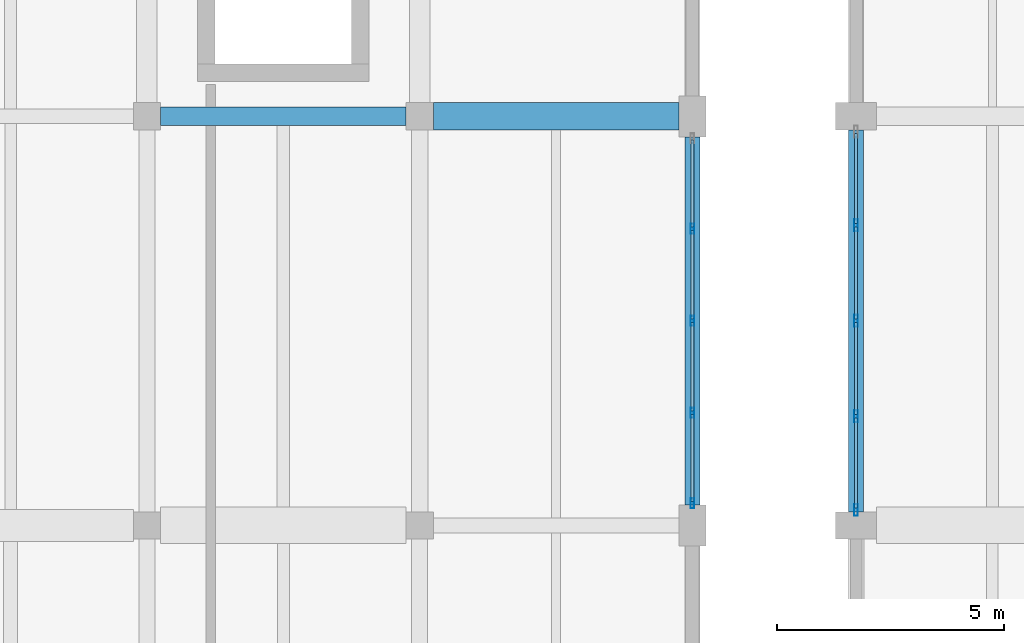
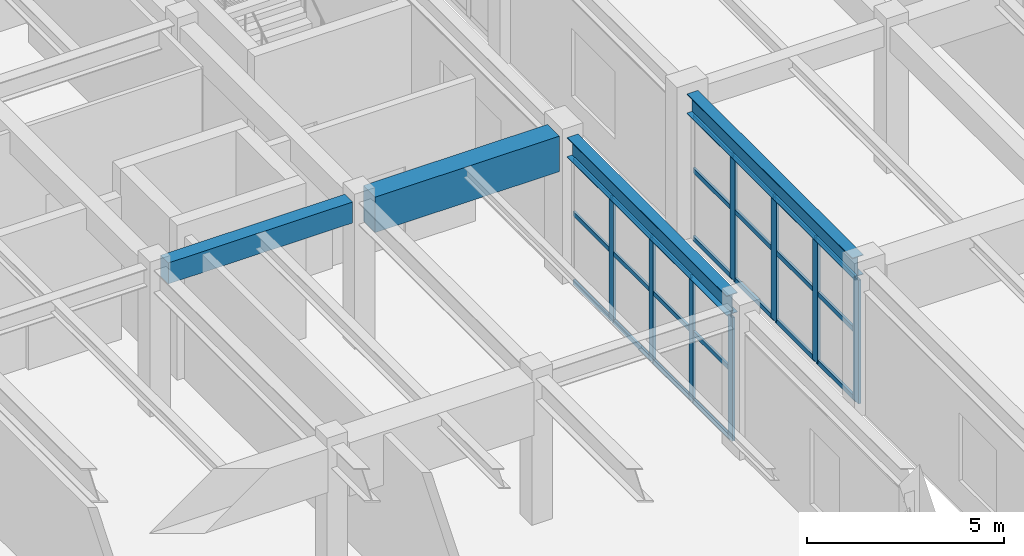
# One storey, part 17 of 80: 32 members, 4 beams, 2 elements without a shape of their own.
"""IFC4 building model written with IfcOpenShell, lengths in metres."""

from ifc_helpers import new_model, si_unit, direction, frame, origin, origin_2d, place, context, subcontext, project, spatial, rectangle, hollow_rectangle, i_section, extrude, material, layer, layer_set, material_profile, profile_set, type_object, element, aggregate, save


model = new_model("IFC4")

# Units and contexts
model_context = context("Model", 3, precision=1e-05, world=origin(), true_north=direction((0.0, 1.0)))
body_context = subcontext(model_context, "Body", "Model", "MODEL_VIEW")
ifc_project = project(units=[si_unit("LENGTHUNIT", "METRE"), si_unit("AREAUNIT", "SQUARE_METRE"), si_unit("VOLUMEUNIT", "CUBIC_METRE"), si_unit("PLANEANGLEUNIT", "RADIAN"), si_unit("MASSUNIT", "GRAM", prefix="KILO")], contexts=[model_context])

# Site, building, storey
site_placement = place(None, origin())
site = spatial("IfcSite", under=ifc_project, at=site_placement, CompositionType="ELEMENT")
building_placement = place(site_placement, origin())
building = spatial("IfcBuilding", under=site, at=building_placement, Name="Vaelkrest Opera House", CompositionType="ELEMENT")
storey_placement = place(building_placement, frame((0.0, 0.0, 15.0)))
storey = spatial("IfcBuildingStorey", under=building, at=storey_placement, Name="L03", CompositionType="ELEMENT", Elevation=15.0)

# Beams
ifc_material_1 = material(Name="Concrete C50/60", Category="concrete")
ifc_material_profile_1 = material_profile(ifc_material_1, rectangle(XDim=0.39990234375, YDim=0.64990234375, at=origin_2d()), Name="RCB400X650")
ifc_profile_set_1 = profile_set([ifc_material_profile_1], Name="Concrete C50/60")
beam_type_1 = type_object("IfcBeamType", Name="B01", PredefinedType="BEAM", material=ifc_profile_set_1)
beam_1_placement = place(storey_placement, frame((-45.300048828125, 1.199951171875, 4.179931640625), z_axis=(1.0, 0.0, 0.0), x_axis=(0.0, 1.0, 0.0)))
element("IfcBeam", 1, at=beam_1_placement, inside=storey, type_object=beam_type_1, Name="Beam BM-V3-L03-1749", PredefinedType="BEAM", context=body_context, shape_type="SweptSolid", body=[
    extrude(rectangle(XDim=0.39990234375, YDim=0.64990234375, at=origin_2d()), origin(), (0.0, 0.0, 1.0), 5.400146484375),
])
ifc_material_profile_2 = material_profile(ifc_material_1, rectangle(XDim=0.60009765625, YDim=1.10009765625, at=origin_2d()), Name="RCB600X1100")
ifc_profile_set_2 = profile_set([ifc_material_profile_2], Name="Concrete C50/60")
beam_type_2 = type_object("IfcBeamType", Name="B05", PredefinedType="BEAM", material=ifc_profile_set_2)
beam_2_placement = place(storey_placement, frame((-39.300048828125, 1.199951171875, 3.955078125), z_axis=(1.0, 0.0, 0.0), x_axis=(0.0, 1.0, 0.0)))
element("IfcBeam", 2, at=beam_2_placement, inside=storey, type_object=beam_type_2, Name="Beam BM-V3-L03-1750", PredefinedType="BEAM", context=body_context, shape_type="SweptSolid", body=[
    extrude(rectangle(XDim=0.60009765625, YDim=1.10009765625, at=origin_2d()), origin(), (0.0, 0.0, 1.0), 5.400146484375),
])

# Curtain wall, members
ifc_material_2 = material(Name="Dark bronze anodized aluminium", Category="aluminium")
ifc_layer_1 = layer(ifc_material_2, 0.239990234375)
ifc_layer_set_1 = layer_set([ifc_layer_1], Name="Dark bronze anodized aluminium")
curtain_wall_type_1 = type_object("IfcCurtainWallType", Name="CW07", PredefinedType="NOTDEFINED", material=ifc_layer_set_1)
curtain_wall_1_placement = place(storey_placement, origin())
curtain_wall_1 = element("IfcCurtainWall", 3, at=curtain_wall_1_placement, inside=storey, type_object=curtain_wall_type_1, Name="Curtain wall CW-L03-136", PredefinedType="NOTDEFINED")
ifc_material_profile_3 = material_profile(ifc_material_2, hollow_rectangle(XDim=0.074951171875, YDim=0.219970703125, WallThickness=0.00439453125, at=origin_2d()), Name="CWM75X220")
ifc_profile_set_3 = profile_set([ifc_material_profile_3], Name="Dark bronze anodized aluminium")
member_type_1 = type_object("IfcMemberType", Name="CWM03", PredefinedType="MULLION", material=ifc_profile_set_3)
member_1_placement = place(storey_placement, frame((-33.60009765625, -1.27392578125, 0.0), z_axis=(0.0, 0.0, 1.0), x_axis=(1.0, 0.0, 0.0)))
member_1 = element("IfcMember", 4, at=member_1_placement, type_object=member_type_1, Name="CW07 mullion 2", PredefinedType="MULLION", context=body_context, shape_type="SweptSolid", body=[
    extrude(hollow_rectangle(XDim=0.074951171875, YDim=0.219970703125, WallThickness=0.00439453125, at=origin_2d()), origin(), (0.0, 0.0, 1.0), 3.8291015625),
])
member_2_placement = place(storey_placement, frame((-33.60009765625, -3.300048828125, 0.0), z_axis=(0.0, 0.0, 1.0), x_axis=(1.0, 0.0, 0.0)))
member_2 = element("IfcMember", 5, at=member_2_placement, type_object=member_type_1, Name="CW07 mullion 3", PredefinedType="MULLION", context=body_context, shape_type="SweptSolid", body=[
    extrude(hollow_rectangle(XDim=0.074951171875, YDim=0.219970703125, WallThickness=0.00439453125, at=origin_2d()), origin(), (0.0, 0.0, 1.0), 3.8291015625),
])
member_3_placement = place(storey_placement, frame((-33.60009765625, -5.325927734375, 0.0), z_axis=(0.0, 0.0, 1.0), x_axis=(1.0, 0.0, 0.0)))
member_3 = element("IfcMember", 6, at=member_3_placement, type_object=member_type_1, Name="CW07 mullion 4", PredefinedType="MULLION", context=body_context, shape_type="SweptSolid", body=[
    extrude(hollow_rectangle(XDim=0.074951171875, YDim=0.219970703125, WallThickness=0.00439453125, at=origin_2d()), origin(), (0.0, 0.0, 1.0), 3.8291015625),
])
member_4_placement = place(storey_placement, frame((-33.60009765625, -7.314453125, 0.0), z_axis=(0.0, 0.0, 1.0), x_axis=(1.0, 0.0, 0.0)))
member_4 = element("IfcMember", 7, at=member_4_placement, type_object=member_type_1, Name="CW07 mullion 5", PredefinedType="MULLION", context=body_context, shape_type="SweptSolid", body=[
    extrude(hollow_rectangle(XDim=0.074951171875, YDim=0.219970703125, WallThickness=0.00439453125, at=origin_2d()), origin(), (0.0, 0.0, 1.0), 3.8291015625),
])

ifc_layer_2 = layer(ifc_material_2, 0.25)
ifc_layer_set_2 = layer_set([ifc_layer_2], Name="Dark bronze anodized aluminium")
curtain_wall_type_2 = type_object("IfcCurtainWallType", Name="CW08", PredefinedType="NOTDEFINED", material=ifc_layer_set_2)
curtain_wall_2_placement = place(storey_placement, origin())
curtain_wall_2 = element("IfcCurtainWall", 8, at=curtain_wall_2_placement, inside=storey, type_object=curtain_wall_type_2, Name="Curtain wall CW-L03-049", PredefinedType="NOTDEFINED")
ifc_material_profile_4 = material_profile(ifc_material_2, hollow_rectangle(XDim=0.080078125, YDim=0.260009765625, WallThickness=0.0048828125, at=origin_2d()), Name="CWM80X260")
ifc_profile_set_4 = profile_set([ifc_material_profile_4], Name="Dark bronze anodized aluminium")
member_type_2 = type_object("IfcMemberType", Name="CWM04", PredefinedType="MULLION", material=ifc_profile_set_4)
member_5_placement = place(storey_placement, frame((-30.0, -7.4619140625, 0.0), z_axis=(0.0, 0.0, 1.0), x_axis=(-1.0, 0.0, 0.0)))
member_5 = element("IfcMember", 9, at=member_5_placement, type_object=member_type_2, Name="CW08 mullion 1", PredefinedType="MULLION", context=body_context, shape_type="SweptSolid", body=[
    extrude(hollow_rectangle(XDim=0.080078125, YDim=0.260009765625, WallThickness=0.0048828125, at=origin_2d()), origin(), (0.0, 0.0, 1.0), 3.8291015625),
])
member_6_placement = place(storey_placement, frame((-30.0, -5.40087890625, 0.0), z_axis=(0.0, 0.0, 1.0), x_axis=(-1.0, 0.0, 0.0)))
member_6 = element("IfcMember", 10, at=member_6_placement, type_object=member_type_2, Name="CW08 mullion 2", PredefinedType="MULLION", context=body_context, shape_type="SweptSolid", body=[
    extrude(hollow_rectangle(XDim=0.080078125, YDim=0.260009765625, WallThickness=0.0048828125, at=origin_2d()), origin(), (0.0, 0.0, 1.0), 3.8291015625),
])
member_7_placement = place(storey_placement, frame((-30.0, -3.300048828125, 0.0), z_axis=(0.0, 0.0, 1.0), x_axis=(-1.0, 0.0, 0.0)))
member_7 = element("IfcMember", 11, at=member_7_placement, type_object=member_type_2, Name="CW08 mullion 3", PredefinedType="MULLION", context=body_context, shape_type="SweptSolid", body=[
    extrude(hollow_rectangle(XDim=0.080078125, YDim=0.260009765625, WallThickness=0.0048828125, at=origin_2d()), origin(), (0.0, 0.0, 1.0), 3.8291015625),
])
member_8_placement = place(storey_placement, frame((-30.0, -1.198974609375, 0.0), z_axis=(0.0, 0.0, 1.0), x_axis=(-1.0, 0.0, 0.0)))
member_8 = element("IfcMember", 12, at=member_8_placement, type_object=member_type_2, Name="CW08 mullion 4", PredefinedType="MULLION", context=body_context, shape_type="SweptSolid", body=[
    extrude(hollow_rectangle(XDim=0.080078125, YDim=0.260009765625, WallThickness=0.0048828125, at=origin_2d()), origin(), (0.0, 0.0, 1.0), 3.8291015625),
])

# Member
ifc_material_profile_5 = material_profile(ifc_material_2, hollow_rectangle(XDim=0.06494140625, YDim=0.139892578125, WallThickness=0.00390625, at=origin_2d()), Name="CWT65X140")
ifc_profile_set_5 = profile_set([ifc_material_profile_5], Name="Dark bronze anodized aluminium")
member_type_3 = type_object("IfcMemberType", Name="CWT01", PredefinedType="USERDEFINED", material=ifc_profile_set_5)
member_9_placement = place(storey_placement, frame((-33.60009765625, 0.677001953125, 0.032470703125), z_axis=(0.0, -1.0, 0.0), x_axis=(1.0, 0.0, 0.0)))
member_9 = element("IfcMember", 13, at=member_9_placement, type_object=member_type_3, Name="CW07 transom 1.1", ObjectType="TRANSOM", PredefinedType="USERDEFINED", context=body_context, shape_type="SweptSolid", body=[
    extrude(hollow_rectangle(XDim=0.06494140625, YDim=0.139892578125, WallThickness=0.00390625, at=origin_2d()), origin(), (0.0, 0.0, 1.0), 1.91357421875),
])

member_10_placement = place(storey_placement, frame((-33.60009765625, 0.677001953125, 2.14990234375), z_axis=(0.0, -1.0, 0.0), x_axis=(1.0, 0.0, 0.0)))
member_10 = element("IfcMember", 14, at=member_10_placement, type_object=member_type_3, Name="CW07 transom 1.2", ObjectType="TRANSOM", PredefinedType="USERDEFINED", context=body_context, shape_type="SweptSolid", body=[
    extrude(hollow_rectangle(XDim=0.06494140625, YDim=0.139892578125, WallThickness=0.00390625, at=origin_2d()), origin(), (0.0, 0.0, 1.0), 1.91357421875),
])

member_11_placement = place(storey_placement, frame((-33.60009765625, 0.677001953125, 3.79638671875), z_axis=(0.0, -1.0, 0.0), x_axis=(1.0, 0.0, 0.0)))
member_11 = element("IfcMember", 15, at=member_11_placement, type_object=member_type_3, Name="CW07 transom 1.3", ObjectType="TRANSOM", PredefinedType="USERDEFINED", context=body_context, shape_type="SweptSolid", body=[
    extrude(hollow_rectangle(XDim=0.06494140625, YDim=0.139892578125, WallThickness=0.00390625, at=origin_2d()), origin(), (0.0, 0.0, 1.0), 1.91357421875),
])

member_12_placement = place(storey_placement, frame((-33.60009765625, -1.3115234375, 0.032470703125), z_axis=(0.0, -1.0, 0.0), x_axis=(1.0, 0.0, 0.0)))
member_12 = element("IfcMember", 16, at=member_12_placement, type_object=member_type_3, Name="CW07 transom 2.1", ObjectType="TRANSOM", PredefinedType="USERDEFINED", context=body_context, shape_type="SweptSolid", body=[
    extrude(hollow_rectangle(XDim=0.06494140625, YDim=0.139892578125, WallThickness=0.00390625, at=origin_2d()), origin(), (0.0, 0.0, 1.0), 1.950927734375),
])

member_13_placement = place(storey_placement, frame((-33.60009765625, -1.3115234375, 2.14990234375), z_axis=(0.0, -1.0, 0.0), x_axis=(1.0, 0.0, 0.0)))
member_13 = element("IfcMember", 17, at=member_13_placement, type_object=member_type_3, Name="CW07 transom 2.2", ObjectType="TRANSOM", PredefinedType="USERDEFINED", context=body_context, shape_type="SweptSolid", body=[
    extrude(hollow_rectangle(XDim=0.06494140625, YDim=0.139892578125, WallThickness=0.00390625, at=origin_2d()), origin(), (0.0, 0.0, 1.0), 1.950927734375),
])

member_14_placement = place(storey_placement, frame((-33.60009765625, -1.3115234375, 3.79638671875), z_axis=(0.0, -1.0, 0.0), x_axis=(1.0, 0.0, 0.0)))
member_14 = element("IfcMember", 18, at=member_14_placement, type_object=member_type_3, Name="CW07 transom 2.3", ObjectType="TRANSOM", PredefinedType="USERDEFINED", context=body_context, shape_type="SweptSolid", body=[
    extrude(hollow_rectangle(XDim=0.06494140625, YDim=0.139892578125, WallThickness=0.00390625, at=origin_2d()), origin(), (0.0, 0.0, 1.0), 1.950927734375),
])

member_15_placement = place(storey_placement, frame((-33.60009765625, -3.33740234375, 0.032470703125), z_axis=(0.0, -1.0, 0.0), x_axis=(1.0, 0.0, 0.0)))
member_15 = element("IfcMember", 19, at=member_15_placement, type_object=member_type_3, Name="CW07 transom 3.1", ObjectType="TRANSOM", PredefinedType="USERDEFINED", context=body_context, shape_type="SweptSolid", body=[
    extrude(hollow_rectangle(XDim=0.06494140625, YDim=0.139892578125, WallThickness=0.00390625, at=origin_2d()), origin(), (0.0, 0.0, 1.0), 1.951171875),
])

member_16_placement = place(storey_placement, frame((-33.60009765625, -3.33740234375, 2.14990234375), z_axis=(0.0, -1.0, 0.0), x_axis=(1.0, 0.0, 0.0)))
member_16 = element("IfcMember", 20, at=member_16_placement, type_object=member_type_3, Name="CW07 transom 3.2", ObjectType="TRANSOM", PredefinedType="USERDEFINED", context=body_context, shape_type="SweptSolid", body=[
    extrude(hollow_rectangle(XDim=0.06494140625, YDim=0.139892578125, WallThickness=0.00390625, at=origin_2d()), origin(), (0.0, 0.0, 1.0), 1.951171875),
])

member_17_placement = place(storey_placement, frame((-33.60009765625, -3.33740234375, 3.79638671875), z_axis=(0.0, -1.0, 0.0), x_axis=(1.0, 0.0, 0.0)))
member_17 = element("IfcMember", 21, at=member_17_placement, type_object=member_type_3, Name="CW07 transom 3.3", ObjectType="TRANSOM", PredefinedType="USERDEFINED", context=body_context, shape_type="SweptSolid", body=[
    extrude(hollow_rectangle(XDim=0.06494140625, YDim=0.139892578125, WallThickness=0.00390625, at=origin_2d()), origin(), (0.0, 0.0, 1.0), 1.951171875),
])

member_18_placement = place(storey_placement, frame((-33.60009765625, -5.363525390625, 0.032470703125), z_axis=(0.0, -1.0, 0.0), x_axis=(1.0, 0.0, 0.0)))
member_18 = element("IfcMember", 22, at=member_18_placement, type_object=member_type_3, Name="CW07 transom 4.1", ObjectType="TRANSOM", PredefinedType="USERDEFINED", context=body_context, shape_type="SweptSolid", body=[
    extrude(hollow_rectangle(XDim=0.06494140625, YDim=0.139892578125, WallThickness=0.00390625, at=origin_2d()), origin(), (0.0, 0.0, 1.0), 1.91357421875),
])

member_19_placement = place(storey_placement, frame((-33.60009765625, -5.363525390625, 2.14990234375), z_axis=(0.0, -1.0, 0.0), x_axis=(1.0, 0.0, 0.0)))
member_19 = element("IfcMember", 23, at=member_19_placement, type_object=member_type_3, Name="CW07 transom 4.2", ObjectType="TRANSOM", PredefinedType="USERDEFINED", context=body_context, shape_type="SweptSolid", body=[
    extrude(hollow_rectangle(XDim=0.06494140625, YDim=0.139892578125, WallThickness=0.00390625, at=origin_2d()), origin(), (0.0, 0.0, 1.0), 1.91357421875),
])

member_20_placement = place(storey_placement, frame((-33.60009765625, -5.363525390625, 3.79638671875), z_axis=(0.0, -1.0, 0.0), x_axis=(1.0, 0.0, 0.0)))
member_20 = element("IfcMember", 24, at=member_20_placement, type_object=member_type_3, Name="CW07 transom 4.3", ObjectType="TRANSOM", PredefinedType="USERDEFINED", context=body_context, shape_type="SweptSolid", body=[
    extrude(hollow_rectangle(XDim=0.06494140625, YDim=0.139892578125, WallThickness=0.00390625, at=origin_2d()), origin(), (0.0, 0.0, 1.0), 1.91357421875),
])

aggregate(curtain_wall_1, [member_1, member_2, member_3, member_4, member_9, member_10, member_11, member_12, member_13, member_14, member_15, member_16, member_17, member_18, member_19, member_20])

ifc_material_profile_6 = material_profile(ifc_material_2, hollow_rectangle(XDim=0.070068359375, YDim=0.14990234375, WallThickness=0.004150390625, at=origin_2d()), Name="CWT70X150")
ifc_profile_set_6 = profile_set([ifc_material_profile_6], Name="Dark bronze anodized aluminium")
member_type_4 = type_object("IfcMemberType", Name="CWT02", PredefinedType="USERDEFINED", material=ifc_profile_set_6)
member_21_placement = place(storey_placement, frame((-30.0, -7.422119140625, 0.034912109375), z_axis=(0.0, 1.0, 0.0), x_axis=(-1.0, 0.0, 0.0)))
member_21 = element("IfcMember", 25, at=member_21_placement, type_object=member_type_4, Name="CW08 transom 1.1", ObjectType="TRANSOM", PredefinedType="USERDEFINED", context=body_context, shape_type="SweptSolid", body=[
    extrude(hollow_rectangle(XDim=0.070068359375, YDim=0.14990234375, WallThickness=0.004150390625, at=origin_2d()), origin(), (0.0, 0.0, 1.0), 1.981201171875),
])

member_22_placement = place(storey_placement, frame((-30.0, -7.422119140625, 2.14990234375), z_axis=(0.0, 1.0, 0.0), x_axis=(-1.0, 0.0, 0.0)))
member_22 = element("IfcMember", 26, at=member_22_placement, type_object=member_type_4, Name="CW08 transom 1.2", ObjectType="TRANSOM", PredefinedType="USERDEFINED", context=body_context, shape_type="SweptSolid", body=[
    extrude(hollow_rectangle(XDim=0.070068359375, YDim=0.14990234375, WallThickness=0.004150390625, at=origin_2d()), origin(), (0.0, 0.0, 1.0), 1.981201171875),
])

member_23_placement = place(storey_placement, frame((-30.0, -7.422119140625, 3.7939453125), z_axis=(0.0, 1.0, 0.0), x_axis=(-1.0, 0.0, 0.0)))
member_23 = element("IfcMember", 27, at=member_23_placement, type_object=member_type_4, Name="CW08 transom 1.3", ObjectType="TRANSOM", PredefinedType="USERDEFINED", context=body_context, shape_type="SweptSolid", body=[
    extrude(hollow_rectangle(XDim=0.070068359375, YDim=0.14990234375, WallThickness=0.004150390625, at=origin_2d()), origin(), (0.0, 0.0, 1.0), 1.981201171875),
])

member_24_placement = place(storey_placement, frame((-30.0, -5.361083984375, 0.034912109375), z_axis=(0.0, 1.0, 0.0), x_axis=(-1.0, 0.0, 0.0)))
member_24 = element("IfcMember", 28, at=member_24_placement, type_object=member_type_4, Name="CW08 transom 2.1", ObjectType="TRANSOM", PredefinedType="USERDEFINED", context=body_context, shape_type="SweptSolid", body=[
    extrude(hollow_rectangle(XDim=0.070068359375, YDim=0.14990234375, WallThickness=0.004150390625, at=origin_2d()), origin(), (0.0, 0.0, 1.0), 2.02099609375),
])

member_25_placement = place(storey_placement, frame((-30.0, -5.361083984375, 2.14990234375), z_axis=(0.0, 1.0, 0.0), x_axis=(-1.0, 0.0, 0.0)))
member_25 = element("IfcMember", 29, at=member_25_placement, type_object=member_type_4, Name="CW08 transom 2.2", ObjectType="TRANSOM", PredefinedType="USERDEFINED", context=body_context, shape_type="SweptSolid", body=[
    extrude(hollow_rectangle(XDim=0.070068359375, YDim=0.14990234375, WallThickness=0.004150390625, at=origin_2d()), origin(), (0.0, 0.0, 1.0), 2.02099609375),
])

member_26_placement = place(storey_placement, frame((-30.0, -5.361083984375, 3.7939453125), z_axis=(0.0, 1.0, 0.0), x_axis=(-1.0, 0.0, 0.0)))
member_26 = element("IfcMember", 30, at=member_26_placement, type_object=member_type_4, Name="CW08 transom 2.3", ObjectType="TRANSOM", PredefinedType="USERDEFINED", context=body_context, shape_type="SweptSolid", body=[
    extrude(hollow_rectangle(XDim=0.070068359375, YDim=0.14990234375, WallThickness=0.004150390625, at=origin_2d()), origin(), (0.0, 0.0, 1.0), 2.02099609375),
])

member_27_placement = place(storey_placement, frame((-30.0, -3.260009765625, 0.034912109375), z_axis=(0.0, 1.0, 0.0), x_axis=(-1.0, 0.0, 0.0)))
member_27 = element("IfcMember", 31, at=member_27_placement, type_object=member_type_4, Name="CW08 transom 3.1", ObjectType="TRANSOM", PredefinedType="USERDEFINED", context=body_context, shape_type="SweptSolid", body=[
    extrude(hollow_rectangle(XDim=0.070068359375, YDim=0.14990234375, WallThickness=0.004150390625, at=origin_2d()), origin(), (0.0, 0.0, 1.0), 2.02099609375),
])

member_28_placement = place(storey_placement, frame((-30.0, -3.260009765625, 2.14990234375), z_axis=(0.0, 1.0, 0.0), x_axis=(-1.0, 0.0, 0.0)))
member_28 = element("IfcMember", 32, at=member_28_placement, type_object=member_type_4, Name="CW08 transom 3.2", ObjectType="TRANSOM", PredefinedType="USERDEFINED", context=body_context, shape_type="SweptSolid", body=[
    extrude(hollow_rectangle(XDim=0.070068359375, YDim=0.14990234375, WallThickness=0.004150390625, at=origin_2d()), origin(), (0.0, 0.0, 1.0), 2.02099609375),
])

member_29_placement = place(storey_placement, frame((-30.0, -3.260009765625, 3.7939453125), z_axis=(0.0, 1.0, 0.0), x_axis=(-1.0, 0.0, 0.0)))
member_29 = element("IfcMember", 33, at=member_29_placement, type_object=member_type_4, Name="CW08 transom 3.3", ObjectType="TRANSOM", PredefinedType="USERDEFINED", context=body_context, shape_type="SweptSolid", body=[
    extrude(hollow_rectangle(XDim=0.070068359375, YDim=0.14990234375, WallThickness=0.004150390625, at=origin_2d()), origin(), (0.0, 0.0, 1.0), 2.02099609375),
])

member_30_placement = place(storey_placement, frame((-30.0, -1.158935546875, 0.034912109375), z_axis=(0.0, 1.0, 0.0), x_axis=(-1.0, 0.0, 0.0)))
member_30 = element("IfcMember", 34, at=member_30_placement, type_object=member_type_4, Name="CW08 transom 4.1", ObjectType="TRANSOM", PredefinedType="USERDEFINED", context=body_context, shape_type="SweptSolid", body=[
    extrude(hollow_rectangle(XDim=0.070068359375, YDim=0.14990234375, WallThickness=0.004150390625, at=origin_2d()), origin(), (0.0, 0.0, 1.0), 1.98095703125),
])

member_31_placement = place(storey_placement, frame((-30.0, -1.158935546875, 2.14990234375), z_axis=(0.0, 1.0, 0.0), x_axis=(-1.0, 0.0, 0.0)))
member_31 = element("IfcMember", 35, at=member_31_placement, type_object=member_type_4, Name="CW08 transom 4.2", ObjectType="TRANSOM", PredefinedType="USERDEFINED", context=body_context, shape_type="SweptSolid", body=[
    extrude(hollow_rectangle(XDim=0.070068359375, YDim=0.14990234375, WallThickness=0.004150390625, at=origin_2d()), origin(), (0.0, 0.0, 1.0), 1.98095703125),
])

member_32_placement = place(storey_placement, frame((-30.0, -1.158935546875, 3.7939453125), z_axis=(0.0, 1.0, 0.0), x_axis=(-1.0, 0.0, 0.0)))
member_32 = element("IfcMember", 36, at=member_32_placement, type_object=member_type_4, Name="CW08 transom 4.3", ObjectType="TRANSOM", PredefinedType="USERDEFINED", context=body_context, shape_type="SweptSolid", body=[
    extrude(hollow_rectangle(XDim=0.070068359375, YDim=0.14990234375, WallThickness=0.004150390625, at=origin_2d()), origin(), (0.0, 0.0, 1.0), 1.98095703125),
])

aggregate(curtain_wall_2, [member_5, member_6, member_7, member_8, member_21, member_22, member_23, member_24, member_25, member_26, member_27, member_28, member_29, member_30, member_31, member_32])

# Beams
ifc_material_3 = material(Name="Steel A992 Gr50", Category="steel")
ifc_material_profile_7 = material_profile(ifc_material_3, i_section(OverallWidth=0.323974609375, OverallDepth=0.611083984375, WebThickness=0.0126953125, FlangeThickness=0.01904296875, at=origin_2d()), Name="W24X104")
ifc_profile_set_7 = profile_set([ifc_material_profile_7], Name="Steel A992 Gr50")
beam_type_3 = type_object("IfcBeamType", Name="SP01", PredefinedType="SPANDREL", material=ifc_profile_set_7)
beam_3_placement = place(storey_placement, frame((-30.0, -7.5, 4.199462890625), z_axis=(0.0, 1.0, 0.0), x_axis=(-1.0, 0.0, 0.0)))
element("IfcBeam", 37, at=beam_3_placement, inside=storey, type_object=beam_type_3, Name="Beam BM-V1-L03-0478", PredefinedType="SPANDREL", context=body_context, shape_type="SweptSolid", body=[
    extrude(i_section(OverallWidth=0.323974609375, OverallDepth=0.611083984375, WebThickness=0.0126953125, FlangeThickness=0.01904296875, at=origin_2d()), origin(), (0.0, 0.0, 1.0), 8.39990234375),
])
beam_4_placement = place(storey_placement, frame((-33.60009765625, -7.35009765625, 4.199462890625), z_axis=(0.0, 1.0, 0.0), x_axis=(-1.0, 0.0, 0.0)))
element("IfcBeam", 38, at=beam_4_placement, inside=storey, type_object=beam_type_3, Name="Beam BM-V3-L03-1786", PredefinedType="SPANDREL", context=body_context, shape_type="SweptSolid", body=[
    extrude(i_section(OverallWidth=0.323974609375, OverallDepth=0.611083984375, WebThickness=0.0126953125, FlangeThickness=0.01904296875, at=origin_2d()), origin(), (0.0, 0.0, 1.0), 8.10009765625),
])

save(model, "model.ifc")
